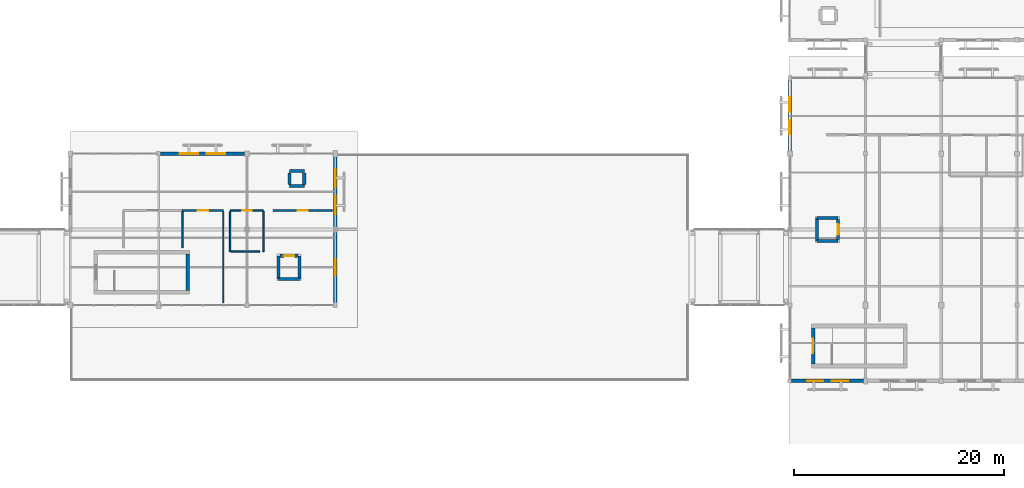
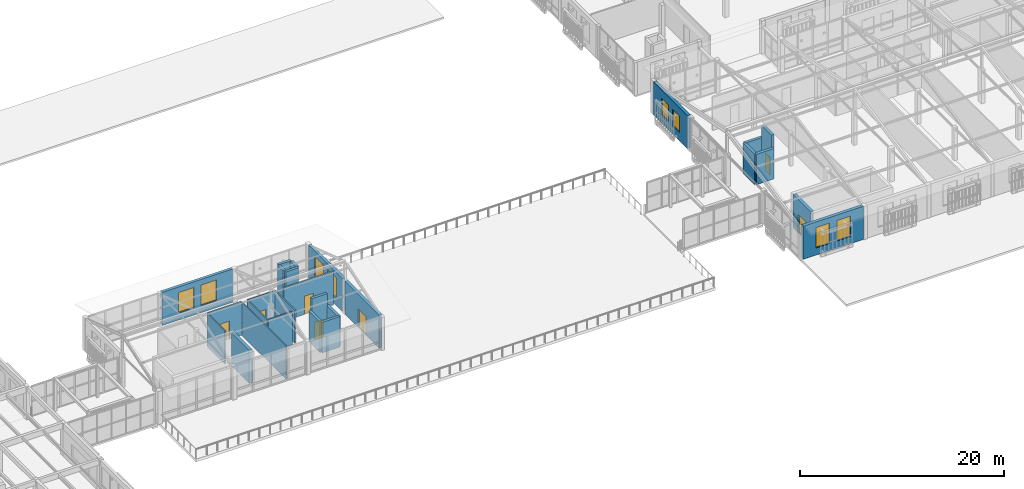
# One storey, part 82 of 112: 27 walls, 8 windows, 7 doors, 15 openings.
"""IFC4 building model written with IfcOpenShell, lengths in metres."""

import ifcopenshell
import ifcopenshell.guid

model = None  # the IFC model being written
_history = None  # IfcOwnerHistory: only IFC2X3 demands one
_inside = {}  # id of a spatial element -> (the spatial element, [elements in it])
_under = {}  # id of a project, library or spatial element -> (it, [spatial elements below it])
_declared = {}  # id of a project -> (the project, [libraries it declares])
_typed = {}  # id of a type object -> (the type object, [elements of that type])
_made_of = {}  # id of a material, layer set ... -> (it, [elements and type objects made of it])


def new_model(schema):
    """Start an empty IFC model of exactly this schema.

    Asked for "IFC4X3", IfcOpenShell would pick the latest addendum, in which some entities
    have other attributes; the version numbers below select the first issue.
    IFC2X3 requires an IfcOwnerHistory on every rooted entity: one is made here for all.
    """
    global model, _history
    if schema == "IFC4X3":
        model = ifcopenshell.file(schema_version=(4, 3, 0, 0))
    else:
        model = ifcopenshell.file(schema=schema)
    _inside.clear()
    _under.clear()
    _declared.clear()
    _typed.clear()
    _made_of.clear()
    _history = None
    if model.schema == "IFC2X3":
        org = make("IfcOrganization", Name="unknown")
        user = make(
            "IfcPersonAndOrganization",
            ThePerson=make("IfcPerson", FamilyName="unknown"),
            TheOrganization=org,
        )
        app = make(
            "IfcApplication",
            ApplicationDeveloper=org,
            Version="unknown",
            ApplicationFullName="unknown",
            ApplicationIdentifier="unknown",
        )
        _history = make(
            "IfcOwnerHistory",
            OwningUser=user,
            OwningApplication=app,
            ChangeAction="ADDED",
            CreationDate=0,
        )
    return model


def make(cls, **values):
    """One entity of the class cls with the attributes given. An attribute that is None is left unset."""
    return model.create_entity(
        cls, **{name: value for name, value in values.items() if value is not None}
    )


def rooted(cls, **values):
    """An entity with a GlobalId (a new one), such as an element, a storey or a relation."""
    return make(cls, GlobalId=ifcopenshell.guid.new(), OwnerHistory=_history, **values)


def si_unit(unit_type, name, prefix=None):
    """IfcSIUnit, for example si_unit("LENGTHUNIT", "METRE", prefix="MILLI")."""
    return make("IfcSIUnit", UnitType=unit_type, Prefix=prefix, Name=name)


def assignment(units):
    """IfcUnitAssignment: the units of a project."""
    return None if units is None else make("IfcUnitAssignment", Units=units)


def point(xyz):
    """IfcCartesianPoint."""
    return None if xyz is None else make("IfcCartesianPoint", Coordinates=xyz)


def direction(xyz):
    """IfcDirection."""
    return None if xyz is None else make("IfcDirection", DirectionRatios=xyz)


def frame(location, z_axis=None, x_axis=None):
    """IfcAxis2Placement3D, a coordinate frame: its origin and axes. An axis left out is left unset."""
    return make(
        "IfcAxis2Placement3D",
        Location=point(location),
        Axis=direction(z_axis),
        RefDirection=direction(x_axis),
    )


def frame_2d(location, x_axis=None):
    """IfcAxis2Placement2D, a coordinate frame in the plane: its origin and x axis."""
    return make(
        "IfcAxis2Placement2D", Location=point(location), RefDirection=direction(x_axis)
    )


def origin():
    """The frame at (0, 0, 0) with its axes left unset."""
    return frame((0.0, 0.0, 0.0))


def place(relative_to, where):
    """IfcLocalPlacement: puts the frame where relative to a parent placement (None: the world)."""
    return make(
        "IfcLocalPlacement", PlacementRelTo=relative_to, RelativePlacement=where
    )


def context(
    kind, dimensions, precision=None, world=None, true_north=None, identifier=None
):
    """IfcGeometricRepresentationContext, for example the 3D "Model" context."""
    return make(
        "IfcGeometricRepresentationContext",
        ContextIdentifier=identifier,
        ContextType=kind,
        CoordinateSpaceDimension=dimensions,
        Precision=precision,
        WorldCoordinateSystem=world,
        TrueNorth=true_north,
    )


def subcontext(parent, identifier, kind, view, scale=None):
    """IfcGeometricRepresentationSubContext, for example "Body" below "Model"."""
    return make(
        "IfcGeometricRepresentationSubContext",
        ContextIdentifier=identifier,
        ContextType=kind,
        ParentContext=parent,
        TargetScale=scale,
        TargetView=view,
    )


def project(units=None, contexts=None):
    """IfcProject with its units and contexts."""
    return rooted(
        "IfcProject",
        Name="project",
        RepresentationContexts=contexts,
        UnitsInContext=assignment(units),
    )


def spatial(cls, under=None, at=None, **own):
    """A site, building, storey or space (cls), placed at a placement, below another one or the project."""
    s = rooted(cls, ObjectPlacement=at, **own)
    if under is not None:
        _under.setdefault(under.id(), (under, []))[1].append(s)
    return s


def profile(cls, at=None, kind="AREA", **sizes):
    """A parametric profile (cls). Its sizes go by their IFC names, for example OverallWidth=200.0."""
    return make(cls, ProfileType=kind, Position=at, **sizes)


def rectangle(**sizes):
    """IfcRectangleProfileDef."""
    return profile("IfcRectangleProfileDef", **sizes)


def extrude(swept, where, along, depth):
    """IfcExtrudedAreaSolid: the profile swept, set in the frame where, extruded along a direction by depth."""
    return make(
        "IfcExtrudedAreaSolid",
        SweptArea=swept,
        Position=where,
        ExtrudedDirection=direction(along),
        Depth=depth,
    )


def shape(context_of_items, identifier, shape_type, items):
    """IfcShapeRepresentation: the items that make up one representation, for example the "Body"."""
    return make(
        "IfcShapeRepresentation",
        ContextOfItems=context_of_items,
        RepresentationIdentifier=identifier,
        RepresentationType=shape_type,
        Items=items,
    )


def material(Name=None, Category=None):
    """IfcMaterial."""
    return make("IfcMaterial", Name=Name, Category=Category)


def layer(
    of_material, thickness, ventilated=None, Name=None, Category=None, Priority=None
):
    """IfcMaterialLayer: one layer of a wall or slab, of a material (None: an air gap)."""
    return make(
        "IfcMaterialLayer",
        Material=of_material,
        LayerThickness=thickness,
        IsVentilated=ventilated,
        Name=Name,
        Category=Category,
        Priority=Priority,
    )


def layer_set(layers, Name=None):
    """IfcMaterialLayerSet."""
    return make("IfcMaterialLayerSet", MaterialLayers=layers, LayerSetName=Name)


def made_of(thing, what):
    """Note that an element or type object is made of a material, layer set ...; save() writes the relation."""
    if what is not None:
        _made_of.setdefault(what.id(), (what, []))[1].append(thing)
    return thing


def type_object(cls, material=None, **own):
    """A type object (cls), such as IfcWallType, which elements share."""
    return made_of(rooted(cls, **own), material)


def element(
    cls,
    number,
    at=None,
    inside=None,
    cuts=None,
    type_object=None,
    material=None,
    context=None,
    identifier="Body",
    shape_type=None,
    held_by="IfcProductDefinitionShape",
    body=None,
    shapes=None,
    **own,
):
    """One element of the class cls, such as IfcWall. Its Tag is "e" and its number.

    at: its placement. inside: the storey or other place that contains it. cuts: it is an
    opening in that element (IfcRelVoidsElement). A single representation is given by context,
    identifier, shape_type and body (its items); several are given by shapes. held_by: the class
    of the entity that holds the representations. save() writes the other relations.
    """
    e = rooted(cls, Tag="e%d" % number, ObjectPlacement=at, **own)
    if body is not None:
        shapes = [shape(context, identifier, shape_type, body)]
    if shapes is not None:
        e.Representation = make(held_by, Representations=shapes)
    if inside is not None:
        _inside.setdefault(inside.id(), (inside, []))[1].append(e)
    if cuts is not None:
        rooted(
            "IfcRelVoidsElement", RelatingBuildingElement=cuts, RelatedOpeningElement=e
        )
    if type_object is not None:
        _typed.setdefault(type_object.id(), (type_object, []))[1].append(e)
    return made_of(e, material)


def fill(opening, filler):
    """IfcRelFillsElement: the door or window that sits in an opening."""
    return rooted(
        "IfcRelFillsElement",
        RelatingOpeningElement=opening,
        RelatedBuildingElement=filler,
    )


def aggregate(whole, parts):
    """IfcRelAggregates: a whole, such as a stair, and the parts it consists of."""
    return rooted("IfcRelAggregates", RelatingObject=whole, RelatedObjects=parts)


def save(model, path):
    """Write the relations noted so far, then the file.

    IfcRelAggregates (storeys below a building ...), IfcRelContainedInSpatialStructure (elements
    in a storey), IfcRelDefinesByType, IfcRelAssociatesMaterial and IfcRelDeclares: one each for
    every whole, place, type object, material and project.
    """
    for whole, parts in _under.values():
        aggregate(whole, parts)
    for where, things in _inside.values():
        rooted(
            "IfcRelContainedInSpatialStructure",
            RelatedElements=things,
            RelatingStructure=where,
        )
    for kind, things in _typed.values():
        rooted("IfcRelDefinesByType", RelatedObjects=things, RelatingType=kind)
    for what, things in _made_of.values():
        rooted("IfcRelAssociatesMaterial", RelatedObjects=things, RelatingMaterial=what)
    for by, libraries in _declared.values():
        rooted("IfcRelDeclares", RelatingContext=by, RelatedDefinitions=libraries)
    model.write(path)


model = new_model("IFC4")

# Units and contexts
model_context = context("Model", 3, precision=1e-05, world=origin(), true_north=direction((0.0, 1.0)))
body_context = subcontext(model_context, "Body", "Model", "MODEL_VIEW")
ifc_project = project(units=[si_unit("LENGTHUNIT", "METRE"), si_unit("AREAUNIT", "SQUARE_METRE"), si_unit("VOLUMEUNIT", "CUBIC_METRE"), si_unit("PLANEANGLEUNIT", "RADIAN"), si_unit("MASSUNIT", "GRAM", prefix="KILO")], contexts=[model_context])

# Site, building, storey
site_placement = place(None, origin())
site = spatial("IfcSite", under=ifc_project, at=site_placement, CompositionType="ELEMENT")
building_placement = place(site_placement, origin())
building = spatial("IfcBuilding", under=site, at=building_placement, Name="Mazaris Harbour Polytechnic", CompositionType="ELEMENT")
storey_placement = place(building_placement, frame((0.0, 0.0, 13.800048828125)))
storey = spatial("IfcBuildingStorey", under=building, at=storey_placement, Name="L03", CompositionType="ELEMENT", Elevation=13.800048828125)

# Walls
ifc_material_1 = material(Name="Gypsum Board and Mineral Wool")
ifc_layer_1 = layer(ifc_material_1, 0.1201171875, Name="Gypsum Board and Mineral Wool")
ifc_layer_set_1 = layer_set([ifc_layer_1], Name="Gypsum Board and Mineral Wool")
wall_type_1 = type_object("IfcWallType", Name="Acoustic Stud Partition 120", PredefinedType="PARTITIONING", material=ifc_layer_set_1)
wall_1_placement = place(storey_placement, frame((68.5458984375, 21.85009765625, 0.0), z_axis=(0.0, 0.0, 1.0), x_axis=(0.0, 1.0, 0.0)))
element("IfcWall", 1, at=wall_1_placement, inside=storey, type_object=wall_type_1, Name="V3 L03 Partition 241", PredefinedType="PARTITIONING", context=body_context, shape_type="SweptSolid", body=[
    extrude(rectangle(XDim=8.6298828125, YDim=0.1201171875, at=frame_2d((4.31494140625, 0.0))), origin(), (0.0, 0.0, 1.0), 3.9599609375),
])
ifc_material_2 = material(Name="Double Gypsum and Mineral Wool")
ifc_layer_2 = layer(ifc_material_2, 0.14990234375, Name="Double Gypsum and Mineral Wool")
ifc_layer_set_2 = layer_set([ifc_layer_2], Name="Double Gypsum and Mineral Wool")
wall_type_2 = type_object("IfcWallType", Name="Classroom Acoustic Partition 150", PredefinedType="PARTITIONING", material=ifc_layer_set_2)
wall_2_placement = place(storey_placement, frame((64.654052734375, 27.054931640625, 0.0), z_axis=(0.0, 0.0, 1.0), x_axis=(0.0, 1.0, 0.0)))
element("IfcWall", 2, at=wall_2_placement, inside=storey, type_object=wall_type_2, Name="V3 L03 Partition 239", PredefinedType="PARTITIONING", context=body_context, shape_type="SweptSolid", body=[
    extrude(rectangle(XDim=3.425048828125, YDim=0.14990234375, at=frame_2d((1.71240234375, 0.0))), origin(), (0.0, 0.0, 1.0), 3.9599609375),
])

# Wall, opening, door
ifc_material_3 = material(Name="Terracotta Block and Plaster", Category="masonry")
ifc_layer_3 = layer(ifc_material_3, 0.179931640625, Name="Terracotta Block and Plaster")
ifc_layer_set_3 = layer_set([ifc_layer_3], Name="Terracotta Block and Plaster")
wall_type_3 = type_object("IfcWallType", Name="Corridor Fire Partition 180", PredefinedType="PARTITIONING", material=ifc_layer_set_3)
wall_3_placement = place(storey_placement, frame((64.658935546875, 30.60009765625, 0.0), z_axis=(0.0, 0.0, 1.0), x_axis=(1.0, 0.0, 0.0)))
wall_3 = element("IfcWall", 3, at=wall_3_placement, inside=storey, type_object=wall_type_3, Name="V3 L03 Partition 240", PredefinedType="PARTITIONING", context=body_context, shape_type="SweptSolid", body=[
    extrude(rectangle(XDim=3.886962890625, YDim=0.179931640625, at=frame_2d((1.943359375, 0.0))), origin(), (0.0, 0.0, 1.0), 3.9599609375),
])
opening_1_placement = place(wall_3_placement, frame((1.448486328125, 0.0, 0.0)))
opening_1 = element("IfcOpeningElement", 4, at=opening_1_placement, cuts=wall_3, Name="Opening ID-08R", PredefinedType="OPENING", context=body_context, shape_type="SweptSolid", body=[
    extrude(rectangle(XDim=0.989990234375, YDim=2.179931640625, at=frame_2d((0.4951171875, 1.08984375))), frame((0.0, 0.099853515625, 0.0), z_axis=(0.0, -1.0, 0.0), x_axis=(1.0, 0.0, 0.0)), (0.0, 0.0, 1.0), 0.199951171875),
])
ifc_material_4 = material(Name="Solid Oak Timber", Category="wood")
door_type_1 = type_object("IfcDoorType", Name="Seminar Room Door RH 990x2180", OperationType="SINGLE_SWING_RIGHT", PredefinedType="DOOR", material=ifc_material_4)
door_1_placement = place(opening_1_placement, origin())
door_1 = element("IfcDoor", 5, at=door_1_placement, inside=storey, type_object=door_type_1, Name="ID-0109", OperationType="SINGLE_SWING_RIGHT", OverallHeight=2.179931640625, OverallWidth=0.989990234375, PredefinedType="DOOR", context=body_context, shape_type="SweptSolid", body=[
    extrude(rectangle(XDim=0.989990234375, YDim=2.179931640625, at=frame_2d((0.4951171875, 1.08984375))), frame((0.0, 0.02490234375, 0.0), z_axis=(0.0, -1.0, 0.0), x_axis=(1.0, 0.0, 0.0)), (0.0, 0.0, 1.0), 0.050048828125),
])
fill(opening_1, door_1)

wall_4_placement = place(storey_placement, frame((73.294921875, 30.60009765625, 0.0), z_axis=(0.0, 0.0, 1.0), x_axis=(1.0, 0.0, 0.0)))
wall_4 = element("IfcWall", 6, at=wall_4_placement, inside=storey, type_object=wall_type_3, Name="V3 L03 Partition 242", PredefinedType="PARTITIONING", context=body_context, shape_type="SweptSolid", body=[
    extrude(rectangle(XDim=5.60498046875, YDim=0.179931640625, at=frame_2d((2.802490234375, 0.0))), origin(), (0.0, 0.0, 1.0), 3.9599609375),
])
opening_2_placement = place(wall_4_placement, frame((2.3076171875, 0.0, 0.0)))
opening_2 = element("IfcOpeningElement", 7, at=opening_2_placement, cuts=wall_4, Name="Opening ID-08R", PredefinedType="OPENING", context=body_context, shape_type="SweptSolid", body=[
    extrude(rectangle(XDim=0.989990234375, YDim=2.179931640625, at=frame_2d((0.4951171875, 1.08984375))), frame((0.0, 0.099853515625, 0.0), z_axis=(0.0, -1.0, 0.0), x_axis=(1.0, 0.0, 0.0)), (0.0, 0.0, 1.0), 0.199951171875),
])
door_2_placement = place(opening_2_placement, origin())
door_2 = element("IfcDoor", 8, at=door_2_placement, inside=storey, type_object=door_type_1, Name="ID-0110", OperationType="SINGLE_SWING_RIGHT", OverallHeight=2.179931640625, OverallWidth=0.989990234375, PredefinedType="DOOR", context=body_context, shape_type="SweptSolid", body=[
    extrude(rectangle(XDim=0.989990234375, YDim=2.179931640625, at=frame_2d((0.4951171875, 1.08984375))), frame((0.0, 0.02490234375, 0.0), z_axis=(0.0, -1.0, 0.0), x_axis=(1.0, 0.0, 0.0)), (0.0, 0.0, 1.0), 0.050048828125),
])
fill(opening_2, door_2)

# Wall, openings, windows
ifc_material_5 = material(Name="Algerian Buff Limestone and Mineral Wool", Category="masonry")
ifc_layer_4 = layer(ifc_material_5, 0.330078125, Name="Algerian Buff Limestone and Mineral Wool")
ifc_layer_set_4 = layer_set([ifc_layer_4], Name="Algerian Buff Limestone and Mineral Wool")
wall_type_4 = type_object("IfcWallType", Name="Limestone Cavity Wall 330", PredefinedType="STANDARD", material=ifc_layer_set_4)
wall_5_placement = place(storey_placement, frame((62.58203125, 36.0, 0.0), z_axis=(0.0, 0.0, 1.0), x_axis=(1.0, 0.0, 0.0)))
wall_5 = element("IfcWall", 9, at=wall_5_placement, inside=storey, type_object=wall_type_4, Name="V3 L03 Exterior Wall 124", PredefinedType="STANDARD", context=body_context, shape_type="SweptSolid", body=[
    extrude(rectangle(XDim=7.97607421875, YDim=0.330078125, at=frame_2d((3.988037109375, 0.0))), origin(), (0.0, 0.0, 1.0), 3.9599609375),
])
opening_3_placement = place(wall_5_placement, frame((1.837890625, 0.0, 0.85009765625)))
opening_3 = element("IfcOpeningElement", 10, at=opening_3_placement, cuts=wall_5, Name="Opening WN-27", PredefinedType="OPENING", context=body_context, shape_type="SweptSolid", body=[
    extrude(rectangle(XDim=1.75, YDim=2.449951171875, at=frame_2d((0.875, 1.22509765625))), frame((0.0, 0.175048828125, 0.0), z_axis=(0.0, -1.0, 0.0), x_axis=(1.0, 0.0, 0.0)), (0.0, 0.0, 1.0), 0.35009765625),
])
opening_4_placement = place(wall_5_placement, frame((4.387939453125, 0.0, 0.85009765625)))
opening_4 = element("IfcOpeningElement", 11, at=opening_4_placement, cuts=wall_5, Name="Opening WN-27", PredefinedType="OPENING", context=body_context, shape_type="SweptSolid", body=[
    extrude(rectangle(XDim=1.75, YDim=2.449951171875, at=frame_2d((0.875, 1.22509765625))), frame((0.0, 0.175048828125, 0.0), z_axis=(0.0, -1.0, 0.0), x_axis=(1.0, 0.0, 0.0)), (0.0, 0.0, 1.0), 0.35009765625),
])
ifc_material_6 = material(Name="Thermally Broken Bronze Aluminium and Low-E Glass", Category="aluminium")
window_type_1 = type_object("IfcWindowType", Name="Studio Tall Casement 1750x2450", PartitioningType="DOUBLE_PANEL_VERTICAL", PredefinedType="WINDOW", material=ifc_material_6)
window_1_placement = place(opening_3_placement, origin())
window_1 = element("IfcWindow", 12, at=window_1_placement, inside=storey, type_object=window_type_1, Name="WN-0132", OverallHeight=2.449951171875, OverallWidth=1.75, PartitioningType="DOUBLE_PANEL_VERTICAL", PredefinedType="WINDOW", context=body_context, shape_type="SweptSolid", body=[
    extrude(rectangle(XDim=1.75, YDim=2.449951171875, at=frame_2d((0.875, 1.22509765625))), frame((0.0, 0.030029296875, 0.0), z_axis=(0.0, -1.0, 0.0), x_axis=(1.0, 0.0, 0.0)), (0.0, 0.0, 1.0), 0.06005859375),
])
fill(opening_3, window_1)
window_2_placement = place(opening_4_placement, origin())
window_2 = element("IfcWindow", 13, at=window_2_placement, inside=storey, type_object=window_type_1, Name="WN-0133", OverallHeight=2.449951171875, OverallWidth=1.75, PartitioningType="DOUBLE_PANEL_VERTICAL", PredefinedType="WINDOW", context=body_context, shape_type="SweptSolid", body=[
    extrude(rectangle(XDim=1.75, YDim=2.449951171875, at=frame_2d((0.875, 1.22509765625))), frame((0.0, 0.030029296875, 0.0), z_axis=(0.0, -1.0, 0.0), x_axis=(1.0, 0.0, 0.0)), (0.0, 0.0, 1.0), 0.06005859375),
])
fill(opening_4, window_2)

# Wall, opening, door
wall_6_placement = place(storey_placement, frame((79.199951171875, 28.5380859375, 0.0), z_axis=(0.0, 0.0, 1.0), x_axis=(0.0, -1.0, 0.0)))
wall_6 = element("IfcWall", 14, at=wall_6_placement, inside=storey, type_object=wall_type_4, Name="V3 L03 Exterior Wall 126", PredefinedType="STANDARD", context=body_context, shape_type="SweptSolid", body=[
    extrude(rectangle(XDim=6.7060546875, YDim=0.330078125, at=frame_2d((3.35302734375, 0.0))), origin(), (0.0, 0.0, 1.0), 3.9599609375),
])
opening_5_placement = place(wall_6_placement, frame((2.552978515625, 0.0, 0.0)))
opening_5 = element("IfcOpeningElement", 15, at=opening_5_placement, cuts=wall_6, Name="Opening ED-04", PredefinedType="OPENING", context=body_context, shape_type="SweptSolid", body=[
    extrude(rectangle(XDim=1.60009765625, YDim=2.199951171875, at=frame_2d((0.800048828125, 1.10009765625))), frame((0.0, 0.175048828125, 0.0), z_axis=(0.0, -1.0, 0.0), x_axis=(1.0, 0.0, 0.0)), (0.0, 0.0, 1.0), 0.35009765625),
])
ifc_material_7 = material(Name="Anodised Bronze Steel and Laminated Safety Glass", Category="steel")
door_type_2 = type_object("IfcDoorType", Name="Roof Garden Glazed Terrace Door 1600x2200", OperationType="DOUBLE_DOOR_SINGLE_SWING", PredefinedType="DOOR", material=ifc_material_7)
door_3_placement = place(opening_5_placement, origin())
door_3 = element("IfcDoor", 16, at=door_3_placement, inside=storey, type_object=door_type_2, Name="TRD-20", OperationType="DOUBLE_DOOR_SINGLE_SWING", OverallHeight=2.199951171875, OverallWidth=1.60009765625, PredefinedType="DOOR", context=body_context, shape_type="SweptSolid", body=[
    extrude(rectangle(XDim=1.60009765625, YDim=2.199951171875, at=frame_2d((0.800048828125, 1.10009765625))), frame((0.0, 0.02490234375, 0.0), z_axis=(0.0, -1.0, 0.0), x_axis=(1.0, 0.0, 0.0)), (0.0, 0.0, 1.0), 0.050048828125),
])
fill(opening_5, door_3)

# Wall, openings, windows
wall_7_placement = place(storey_placement, frame((79.199951171875, 35.7080078125, 0.0), z_axis=(0.0, 0.0, 1.0), x_axis=(0.0, -1.0, 0.0)))
wall_7 = element("IfcWall", 17, at=wall_7_placement, inside=storey, type_object=wall_type_4, Name="V3 L03 Exterior Wall 127", PredefinedType="STANDARD", context=body_context, shape_type="SweptSolid", body=[
    extrude(rectangle(XDim=6.64599609375, YDim=0.330078125, at=frame_2d((3.322998046875, 0.0))), origin(), (0.0, 0.0, 1.0), 3.9599609375),
])
opening_6_placement = place(wall_7_placement, frame((1.173095703125, 0.0, 0.85009765625)))
opening_6 = element("IfcOpeningElement", 18, at=opening_6_placement, cuts=wall_7, Name="Opening WN-27", PredefinedType="OPENING", context=body_context, shape_type="SweptSolid", body=[
    extrude(rectangle(XDim=1.75, YDim=2.449951171875, at=frame_2d((0.875, 1.22509765625))), frame((0.0, 0.175048828125, 0.0), z_axis=(0.0, -1.0, 0.0), x_axis=(1.0, 0.0, 0.0)), (0.0, 0.0, 1.0), 0.35009765625),
])
opening_7_placement = place(wall_7_placement, frame((3.722900390625, 0.0, 0.85009765625)))
opening_7 = element("IfcOpeningElement", 19, at=opening_7_placement, cuts=wall_7, Name="Opening WN-27", PredefinedType="OPENING", context=body_context, shape_type="SweptSolid", body=[
    extrude(rectangle(XDim=1.75, YDim=2.449951171875, at=frame_2d((0.875, 1.22509765625))), frame((0.0, 0.175048828125, 0.0), z_axis=(0.0, -1.0, 0.0), x_axis=(1.0, 0.0, 0.0)), (0.0, 0.0, 1.0), 0.35009765625),
])
window_3_placement = place(opening_6_placement, origin())
window_3 = element("IfcWindow", 20, at=window_3_placement, inside=storey, type_object=window_type_1, Name="WN-0136", OverallHeight=2.449951171875, OverallWidth=1.75, PartitioningType="DOUBLE_PANEL_VERTICAL", PredefinedType="WINDOW", context=body_context, shape_type="SweptSolid", body=[
    extrude(rectangle(XDim=1.75, YDim=2.449951171875, at=frame_2d((0.875, 1.22509765625))), frame((0.0, 0.030029296875, 0.0), z_axis=(0.0, -1.0, 0.0), x_axis=(1.0, 0.0, 0.0)), (0.0, 0.0, 1.0), 0.06005859375),
])
fill(opening_6, window_3)
window_4_placement = place(opening_7_placement, origin())
window_4 = element("IfcWindow", 21, at=window_4_placement, inside=storey, type_object=window_type_1, Name="WN-0137", OverallHeight=2.449951171875, OverallWidth=1.75, PartitioningType="DOUBLE_PANEL_VERTICAL", PredefinedType="WINDOW", context=body_context, shape_type="SweptSolid", body=[
    extrude(rectangle(XDim=1.75, YDim=2.449951171875, at=frame_2d((0.875, 1.22509765625))), frame((0.0, 0.030029296875, 0.0), z_axis=(0.0, -1.0, 0.0), x_axis=(1.0, 0.0, 0.0)), (0.0, 0.0, 1.0), 0.06005859375),
])
fill(opening_7, window_4)

ifc_material_8 = material(Name="Algerian Buff Limestone and Concrete C30/37", Category="masonry")
ifc_layer_5 = layer(ifc_material_8, 0.344970703125, Name="Algerian Buff Limestone and Concrete C30/37")
ifc_layer_set_5 = layer_set([ifc_layer_5], Name="Algerian Buff Limestone and Concrete C30/37")
wall_type_5 = type_object("IfcWallType", Name="Pavilion Gable Wall 345", PredefinedType="STANDARD", material=ifc_layer_set_5)
wall_8_placement = place(storey_placement, frame((129.407958984375, 14.39990234375, 0.0), z_axis=(0.0, 0.0, 1.0), x_axis=(-1.0, 0.0, 0.0)))
wall_8 = element("IfcWall", 22, at=wall_8_placement, inside=storey, type_object=wall_type_5, Name="V2 L03 Exterior Wall 83", PredefinedType="STANDARD", context=body_context, shape_type="SweptSolid", body=[
    extrude(rectangle(XDim=6.825927734375, YDim=0.344970703125, at=frame_2d((3.4130859375, 0.0))), origin(), (0.0, 0.0, 1.0), 3.9599609375),
])
opening_8_placement = place(wall_8_placement, frame((1.462890625, 0.0, 0.85009765625)))
opening_8 = element("IfcOpeningElement", 23, at=opening_8_placement, cuts=wall_8, Name="Opening WN-26", PredefinedType="OPENING", context=body_context, shape_type="SweptSolid", body=[
    extrude(rectangle(XDim=1.550048828125, YDim=2.449951171875, at=frame_2d((0.77490234375, 1.22509765625))), frame((0.0, 0.182373046875, 0.0), z_axis=(0.0, -1.0, 0.0), x_axis=(1.0, 0.0, 0.0)), (0.0, 0.0, 1.0), 0.364990234375),
])
opening_9_placement = place(wall_8_placement, frame((3.81298828125, 0.0, 0.85009765625)))
opening_9 = element("IfcOpeningElement", 24, at=opening_9_placement, cuts=wall_8, Name="Opening WN-26", PredefinedType="OPENING", context=body_context, shape_type="SweptSolid", body=[
    extrude(rectangle(XDim=1.550048828125, YDim=2.449951171875, at=frame_2d((0.77490234375, 1.22509765625))), frame((0.0, 0.182373046875, 0.0), z_axis=(0.0, -1.0, 0.0), x_axis=(1.0, 0.0, 0.0)), (0.0, 0.0, 1.0), 0.364990234375),
])
ifc_material_9 = material(Name="Thermally Broken Bronze Aluminium and Low-E Glass", Category="aluminium")
window_type_2 = type_object("IfcWindowType", Name="Studio Tall Casement 1550x2450", PartitioningType="DOUBLE_PANEL_VERTICAL", PredefinedType="WINDOW", material=ifc_material_9)
window_5_placement = place(opening_8_placement, origin())
window_5 = element("IfcWindow", 25, at=window_5_placement, inside=storey, type_object=window_type_2, Name="WN-0083", OverallHeight=2.449951171875, OverallWidth=1.550048828125, PartitioningType="DOUBLE_PANEL_VERTICAL", PredefinedType="WINDOW", context=body_context, shape_type="SweptSolid", body=[
    extrude(rectangle(XDim=1.550048828125, YDim=2.449951171875, at=frame_2d((0.77490234375, 1.22509765625))), frame((0.0, 0.030029296875, 0.0), z_axis=(0.0, -1.0, 0.0), x_axis=(1.0, 0.0, 0.0)), (0.0, 0.0, 1.0), 0.06005859375),
])
fill(opening_8, window_5)
window_6_placement = place(opening_9_placement, origin())
window_6 = element("IfcWindow", 26, at=window_6_placement, inside=storey, type_object=window_type_2, Name="WN-0084", OverallHeight=2.449951171875, OverallWidth=1.550048828125, PartitioningType="DOUBLE_PANEL_VERTICAL", PredefinedType="WINDOW", context=body_context, shape_type="SweptSolid", body=[
    extrude(rectangle(XDim=1.550048828125, YDim=2.449951171875, at=frame_2d((0.77490234375, 1.22509765625))), frame((0.0, 0.030029296875, 0.0), z_axis=(0.0, -1.0, 0.0), x_axis=(1.0, 0.0, 0.0)), (0.0, 0.0, 1.0), 0.06005859375),
])
fill(opening_9, window_6)

wall_9_placement = place(storey_placement, frame((122.39990234375, 36.241943359375, 0.0), z_axis=(0.0, 0.0, 1.0), x_axis=(0.0, 1.0, 0.0)))
wall_9 = element("IfcWall", 27, at=wall_9_placement, inside=storey, type_object=wall_type_5, Name="V2 L03 Exterior Wall 91", PredefinedType="STANDARD", context=body_context, shape_type="SweptSolid", body=[
    extrude(rectangle(XDim=6.72607421875, YDim=0.344970703125, at=frame_2d((3.363037109375, 0.0))), origin(), (0.0, 0.0, 1.0), 3.9599609375),
])
opening_10_placement = place(wall_9_placement, frame((1.613037109375, 0.0, 0.949951171875)))
opening_10 = element("IfcOpeningElement", 28, at=opening_10_placement, cuts=wall_9, Name="Opening WN-30", PredefinedType="OPENING", context=body_context, shape_type="SweptSolid", body=[
    extrude(rectangle(XDim=1.35009765625, YDim=2.0, at=frame_2d((0.675048828125, 1.0))), frame((0.0, 0.182373046875, 0.0), z_axis=(0.0, -1.0, 0.0), x_axis=(1.0, 0.0, 0.0)), (0.0, 0.0, 1.0), 0.364990234375),
])
opening_11_placement = place(wall_9_placement, frame((3.762939453125, 0.0, 0.949951171875)))
opening_11 = element("IfcOpeningElement", 29, at=opening_11_placement, cuts=wall_9, Name="Opening WN-30", PredefinedType="OPENING", context=body_context, shape_type="SweptSolid", body=[
    extrude(rectangle(XDim=1.35009765625, YDim=2.0, at=frame_2d((0.675048828125, 1.0))), frame((0.0, 0.182373046875, 0.0), z_axis=(0.0, -1.0, 0.0), x_axis=(1.0, 0.0, 0.0)), (0.0, 0.0, 1.0), 0.364990234375),
])
ifc_material_10 = material(Name="Thermally Broken Bronze Aluminium and Low-E Glass", Category="aluminium")
window_type_3 = type_object("IfcWindowType", Name="Pavilion Side Window 1350x2000", PartitioningType="DOUBLE_PANEL_VERTICAL", PredefinedType="WINDOW", material=ifc_material_10)
window_7_placement = place(opening_10_placement, origin())
window_7 = element("IfcWindow", 30, at=window_7_placement, inside=storey, type_object=window_type_3, Name="WN-0099", OverallHeight=2.0, OverallWidth=1.35009765625, PartitioningType="DOUBLE_PANEL_VERTICAL", PredefinedType="WINDOW", context=body_context, shape_type="SweptSolid", body=[
    extrude(rectangle(XDim=1.35009765625, YDim=2.0, at=frame_2d((0.675048828125, 1.0))), frame((0.0, 0.030029296875, 0.0), z_axis=(0.0, -1.0, 0.0), x_axis=(1.0, 0.0, 0.0)), (0.0, 0.0, 1.0), 0.06005859375),
])
fill(opening_10, window_7)
window_8_placement = place(opening_11_placement, origin())
window_8 = element("IfcWindow", 31, at=window_8_placement, inside=storey, type_object=window_type_3, Name="WN-0100", OverallHeight=2.0, OverallWidth=1.35009765625, PartitioningType="DOUBLE_PANEL_VERTICAL", PredefinedType="WINDOW", context=body_context, shape_type="SweptSolid", body=[
    extrude(rectangle(XDim=1.35009765625, YDim=2.0, at=frame_2d((0.675048828125, 1.0))), frame((0.0, 0.030029296875, 0.0), z_axis=(0.0, -1.0, 0.0), x_axis=(1.0, 0.0, 0.0)), (0.0, 0.0, 1.0), 0.06005859375),
])
fill(opening_11, window_8)

# Wall
ifc_material_11 = material(Name="Concrete C40/50", Category="concrete")
ifc_layer_6 = layer(ifc_material_11, 0.35009765625, Name="Concrete C40/50")
ifc_layer_set_6 = layer_set([ifc_layer_6], Name="Concrete C40/50")
wall_type_6 = type_object("IfcWallType", Name="RC Core Shear Wall 350", PredefinedType="SHEAR", material=ifc_layer_set_6)
wall_10_placement = place(storey_placement, frame((65.175048828125, 23.0, 0.0), z_axis=(0.0, 0.0, 1.0), x_axis=(0.0, 1.0, 0.0)))
element("IfcWall", 32, at=wall_10_placement, inside=storey, type_object=wall_type_6, Name="Core ST05 L03 Shear Wall E", PredefinedType="SHEAR", context=body_context, shape_type="SweptSolid", body=[
    extrude(rectangle(XDim=3.449951171875, YDim=0.35009765625, at=frame_2d((1.72509765625, 0.0))), origin(), (0.0, 0.0, 1.0), 3.9599609375),
])

# Wall, opening, door
wall_11_placement = place(storey_placement, frame((124.625, 19.449951171875, 0.0), z_axis=(0.0, 0.0, 1.0), x_axis=(0.0, -1.0, 0.0)))
wall_11 = element("IfcWall", 33, at=wall_11_placement, inside=storey, type_object=wall_type_6, Name="Core ST03 L03 Entrance Shear Wall", PredefinedType="SHEAR", context=body_context, shape_type="SweptSolid", body=[
    extrude(rectangle(XDim=3.449951171875, YDim=0.35009765625, at=frame_2d((1.72509765625, 0.0))), origin(), (0.0, 0.0, 1.0), 3.9599609375),
])
opening_12_placement = place(wall_11_placement, frame((1.034912109375, 0.0, 0.0)))
opening_12 = element("IfcOpeningElement", 34, at=opening_12_placement, cuts=wall_11, Name="Opening SD-01", PredefinedType="OPENING", context=body_context, shape_type="SweptSolid", body=[
    extrude(rectangle(XDim=1.3798828125, YDim=2.199951171875, at=frame_2d((0.68994140625, 1.10009765625))), frame((0.0, 0.18505859375, 0.0), z_axis=(0.0, -1.0, 0.0), x_axis=(1.0, 0.0, 0.0)), (0.0, 0.0, 1.0), 0.3701171875),
])
ifc_material_12 = material(Name="Glulam Timber and Fire Glass", Category="wood")
door_type_3 = type_object("IfcDoorType", Name="Protected Stair Lobby Fire Door 1380x2200", OperationType="DOUBLE_DOOR_SINGLE_SWING", PredefinedType="DOOR", material=ifc_material_12)
door_4_placement = place(opening_12_placement, origin())
door_4 = element("IfcDoor", 35, at=door_4_placement, inside=storey, type_object=door_type_3, Name="SD-013", OperationType="DOUBLE_DOOR_SINGLE_SWING", OverallHeight=2.199951171875, OverallWidth=1.3798828125, PredefinedType="DOOR", context=body_context, shape_type="SweptSolid", body=[
    extrude(rectangle(XDim=1.3798828125, YDim=2.199951171875, at=frame_2d((0.68994140625, 1.10009765625))), frame((0.0, 0.02490234375, 0.0), z_axis=(0.0, -1.0, 0.0), x_axis=(1.0, 0.0, 0.0)), (0.0, 0.0, 1.0), 0.050048828125),
])
fill(opening_12, door_4)

# Walls
ifc_material_13 = material(Name="Concrete C40/50", Category="concrete")
ifc_layer_7 = layer(ifc_material_13, 0.300048828125, Name="Concrete C40/50")
ifc_layer_set_7 = layer_set([ifc_layer_7], Name="Concrete C40/50")
wall_type_7 = type_object("IfcWallType", Name="RC Lift Shaft Wall 300", PredefinedType="SHEAR", material=ifc_layer_set_7)
wall_12_placement = place(storey_placement, frame((74.830078125, 32.929931640625, 0.0), z_axis=(0.0, 0.0, 1.0), x_axis=(1.0, 0.0, 0.0)))
element("IfcWall", 36, at=wall_12_placement, inside=storey, type_object=wall_type_7, Name="V3 L03 Riser Enclosure Wall 1-1", PredefinedType="SHEAR", context=body_context, shape_type="SweptSolid", body=[
    extrude(rectangle(XDim=1.419921875, YDim=0.300048828125, at=frame_2d((0.7099609375, 0.0))), origin(), (0.0, 0.0, 1.0), 3.9599609375),
])
wall_13_placement = place(storey_placement, frame((76.25, 33.090087890625, 0.0), z_axis=(0.0, 0.0, 1.0), x_axis=(0.0, 1.0, 0.0)))
element("IfcWall", 37, at=wall_13_placement, inside=storey, type_object=wall_type_7, Name="V3 L03 Riser Enclosure Wall 1-2", PredefinedType="SHEAR", context=body_context, shape_type="SweptSolid", body=[
    extrude(rectangle(XDim=1.099853515625, YDim=0.300048828125, at=frame_2d((0.5498046875, 0.0))), origin(), (0.0, 0.0, 1.0), 3.9599609375),
])
wall_14_placement = place(storey_placement, frame((76.25, 34.35009765625, 0.0), z_axis=(0.0, 0.0, 1.0), x_axis=(-1.0, 0.0, 0.0)))
element("IfcWall", 38, at=wall_14_placement, inside=storey, type_object=wall_type_7, Name="V3 L03 Riser Enclosure Wall 1-3", PredefinedType="SHEAR", context=body_context, shape_type="SweptSolid", body=[
    extrude(rectangle(XDim=1.419921875, YDim=0.300048828125, at=frame_2d((0.7099609375, 0.0))), origin(), (0.0, 0.0, 1.0), 3.9599609375),
])
wall_15_placement = place(storey_placement, frame((74.830078125, 34.18994140625, 0.0), z_axis=(0.0, 0.0, 1.0), x_axis=(0.0, -1.0, 0.0)))
element("IfcWall", 39, at=wall_15_placement, inside=storey, type_object=wall_type_7, Name="V3 L03 Riser Enclosure Wall 1-4", PredefinedType="SHEAR", context=body_context, shape_type="SweptSolid", body=[
    extrude(rectangle(XDim=1.099853515625, YDim=0.300048828125, at=frame_2d((0.5498046875, 0.0))), origin(), (0.0, 0.0, 1.0), 3.9599609375),
])
for number, where, z_axis, x_axis, name in (
    (40, (125.0, 27.699951171875, 0.0), (0.0, 0.0, 1.0), (1.0, 0.0, 0.0), "Lift LP-02 L03 South Shaft Wall"),
    (41, (127.0, 29.89990234375, 0.0), (0.0, 0.0, 1.0), (-1.0, 0.0, 0.0), "Lift LP-02 L03 North Shaft Wall"),
):
    element("IfcWall", number, at=place(storey_placement, frame(where, z_axis=z_axis, x_axis=x_axis)), inside=storey, type_object=wall_type_7, Name=name, PredefinedType="SHEAR", context=body_context, shape_type="SweptSolid", body=[
        extrude(rectangle(XDim=2.0, YDim=0.300048828125, at=frame_2d((1.0, 0.0))), origin(), (0.0, 0.0, 1.0), 3.639892578125),
    ])
wall_16_placement = place(storey_placement, frame((125.0, 29.89990234375, 0.0), z_axis=(0.0, 0.0, 1.0), x_axis=(0.0, -1.0, 0.0)))
element("IfcWall", 42, at=wall_16_placement, inside=storey, type_object=wall_type_7, Name="Lift LP-02 L03 West Shaft Wall", PredefinedType="SHEAR", context=body_context, shape_type="SweptSolid", body=[
    extrude(rectangle(XDim=2.199951171875, YDim=0.300048828125, at=frame_2d((1.10009765625, 0.0))), origin(), (0.0, 0.0, 1.0), 3.639892578125),
])
wall_17_placement = place(storey_placement, frame((73.800048828125, 24.10009765625, 0.0), z_axis=(0.0, 0.0, 1.0), x_axis=(1.0, 0.0, 0.0)))
element("IfcWall", 43, at=wall_17_placement, inside=storey, type_object=wall_type_7, Name="Lift LP-03 L03 South Shaft Wall", PredefinedType="SHEAR", context=body_context, shape_type="SweptSolid", body=[
    extrude(rectangle(XDim=2.0, YDim=0.300048828125, at=frame_2d((1.0, 0.0))), origin(), (0.0, 0.0, 1.0), 3.639892578125),
])
for number, where, z_axis, x_axis, name in (
    (44, (73.800048828125, 26.300048828125, 0.0), (0.0, 0.0, 1.0), (0.0, -1.0, 0.0), "Lift LP-03 L03 West Shaft Wall"),
    (45, (75.800048828125, 24.10009765625, 0.0), (0.0, 0.0, 1.0), (0.0, 1.0, 0.0), "Lift LP-03 L03 East Shaft Wall"),
):
    element("IfcWall", number, at=place(storey_placement, frame(where, z_axis=z_axis, x_axis=x_axis)), inside=storey, type_object=wall_type_7, Name=name, PredefinedType="SHEAR", context=body_context, shape_type="SweptSolid", body=[
        extrude(rectangle(XDim=2.199951171875, YDim=0.300048828125, at=frame_2d((1.10009765625, 0.0))), origin(), (0.0, 0.0, 1.0), 3.639892578125),
    ])

# Wall, opening, door
wall_18_placement = place(storey_placement, frame((127.0, 29.760009765625, 0.0), z_axis=(0.0, 0.0, 1.0), x_axis=(0.0, -1.0, 0.0)))
wall_18 = element("IfcWall", 46, at=wall_18_placement, inside=storey, type_object=wall_type_7, Name="Lift LP-02 L03 Front Shaft Wall", PredefinedType="SHEAR", context=body_context, shape_type="SweptSolid", body=[
    extrude(rectangle(XDim=1.919921875, YDim=0.300048828125, at=frame_2d((0.9599609375, 0.0))), origin(), (0.0, 0.0, 1.0), 5.099853515625),
])
opening_13_placement = place(wall_18_placement, frame((0.4599609375, 0.0, 0.0)))
opening_13 = element("IfcOpeningElement", 47, at=opening_13_placement, cuts=wall_18, Name="Opening LD-01", PredefinedType="OPENING", context=body_context, shape_type="SweptSolid", body=[
    extrude(rectangle(XDim=1.0, YDim=2.10009765625, at=frame_2d((0.5, 1.050048828125))), frame((0.0, 0.159912109375, 0.0), z_axis=(0.0, -1.0, 0.0), x_axis=(1.0, 0.0, 0.0)), (0.0, 0.0, 1.0), 0.320068359375),
])
ifc_material_14 = material(Name="Stainless Steel S355", Category="steel")
door_type_4 = type_object("IfcDoorType", Name="Sliding Passenger Lift Landing Door 1000x2100", OperationType="SLIDING_TO_LEFT", PredefinedType="DOOR", material=ifc_material_14)
door_5_placement = place(opening_13_placement, origin())
door_5 = element("IfcDoor", 48, at=door_5_placement, inside=storey, type_object=door_type_4, Name="LD-024", OperationType="SLIDING_TO_LEFT", OverallHeight=2.10009765625, OverallWidth=1.0, PredefinedType="DOOR", context=body_context, shape_type="SweptSolid", body=[
    extrude(rectangle(XDim=1.0, YDim=2.10009765625, at=frame_2d((0.5, 1.050048828125))), frame((0.0, 0.02490234375, 0.0), z_axis=(0.0, -1.0, 0.0), x_axis=(1.0, 0.0, 0.0)), (0.0, 0.0, 1.0), 0.050048828125),
])
fill(opening_13, door_5)

wall_19_placement = place(storey_placement, frame((73.93994140625, 26.300048828125, 0.0), z_axis=(0.0, 0.0, 1.0), x_axis=(1.0, 0.0, 0.0)))
wall_19 = element("IfcWall", 49, at=wall_19_placement, inside=storey, type_object=wall_type_7, Name="Lift LP-03 L03 Front Shaft Wall", PredefinedType="SHEAR", context=body_context, shape_type="SweptSolid", body=[
    extrude(rectangle(XDim=1.719970703125, YDim=0.300048828125, at=frame_2d((0.85986328125, 0.0))), origin(), (0.0, 0.0, 1.0), 5.099853515625),
])
opening_14_placement = place(wall_19_placement, frame((0.360107421875, 0.0, 0.0)))
opening_14 = element("IfcOpeningElement", 50, at=opening_14_placement, cuts=wall_19, Name="Opening LD-01", PredefinedType="OPENING", context=body_context, shape_type="SweptSolid", body=[
    extrude(rectangle(XDim=1.0, YDim=2.10009765625, at=frame_2d((0.5, 1.050048828125))), frame((0.0, 0.159912109375, 0.0), z_axis=(0.0, -1.0, 0.0), x_axis=(1.0, 0.0, 0.0)), (0.0, 0.0, 1.0), 0.320068359375),
])
door_6_placement = place(opening_14_placement, origin())
door_6 = element("IfcDoor", 51, at=door_6_placement, inside=storey, type_object=door_type_4, Name="LD-029", OperationType="SLIDING_TO_LEFT", OverallHeight=2.10009765625, OverallWidth=1.0, PredefinedType="DOOR", context=body_context, shape_type="SweptSolid", body=[
    extrude(rectangle(XDim=1.0, YDim=2.10009765625, at=frame_2d((0.5, 1.050048828125))), frame((0.0, 0.02490234375, 0.0), z_axis=(0.0, -1.0, 0.0), x_axis=(1.0, 0.0, 0.0)), (0.0, 0.0, 1.0), 0.050048828125),
])
fill(opening_14, door_6)

ifc_material_15 = material(Name="Moisture-Resistant Gypsum and Steel Stud", Category="steel")
ifc_layer_8 = layer(ifc_material_15, 0.14501953125, Name="Moisture-Resistant Gypsum and Steel Stud")
ifc_layer_set_8 = layer_set([ifc_layer_8], Name="Moisture-Resistant Gypsum and Steel Stud")
wall_type_8 = type_object("IfcWallType", Name="Sanitary Plumbing Wall 145", PredefinedType="PLUMBINGWALL", material=ifc_layer_set_8)
wall_20_placement = place(storey_placement, frame((69.199951171875, 30.60009765625, 0.0), z_axis=(0.0, 0.0, 1.0), x_axis=(1.0, 0.0, 0.0)))
wall_20 = element("IfcWall", 52, at=wall_20_placement, inside=storey, type_object=wall_type_8, Name="V3 L03 Partition 234", PredefinedType="PLUMBINGWALL", context=body_context, shape_type="SweptSolid", body=[
    extrude(rectangle(XDim=3.16015625, YDim=0.14501953125, at=frame_2d((1.580078125, 0.0))), origin(), (0.0, 0.0, 1.0), 3.9599609375),
])
opening_15_placement = place(wall_20_placement, frame((1.1298828125, 0.0, 0.0)))
opening_15 = element("IfcOpeningElement", 53, at=opening_15_placement, cuts=wall_20, Name="Opening ID-07R", PredefinedType="OPENING", context=body_context, shape_type="SweptSolid", body=[
    extrude(rectangle(XDim=0.89990234375, YDim=2.10009765625, at=frame_2d((0.449951171875, 1.050048828125))), frame((0.0, 0.08251953125, 0.0), z_axis=(0.0, -1.0, 0.0), x_axis=(1.0, 0.0, 0.0)), (0.0, 0.0, 1.0), 0.1650390625),
])
ifc_material_16 = material(Name="Moisture-Resistant Laminate Timber", Category="wood")
door_type_5 = type_object("IfcDoorType", Name="Sanitary Room Door RH 900x2100", OperationType="SINGLE_SWING_RIGHT", PredefinedType="DOOR", material=ifc_material_16)
door_7_placement = place(opening_15_placement, origin())
door_7 = element("IfcDoor", 54, at=door_7_placement, inside=storey, type_object=door_type_5, Name="ID-0107", OperationType="SINGLE_SWING_RIGHT", OverallHeight=2.10009765625, OverallWidth=0.89990234375, PredefinedType="DOOR", context=body_context, shape_type="SweptSolid", body=[
    extrude(rectangle(XDim=0.89990234375, YDim=2.10009765625, at=frame_2d((0.449951171875, 1.050048828125))), frame((0.0, 0.02490234375, 0.0), z_axis=(0.0, -1.0, 0.0), x_axis=(1.0, 0.0, 0.0)), (0.0, 0.0, 1.0), 0.050048828125),
])
fill(opening_15, door_7)

# Walls
wall_21_placement = place(storey_placement, frame((69.199951171875, 26.699951171875, 0.0), z_axis=(0.0, 0.0, 1.0), x_axis=(0.0, 1.0, 0.0)))
element("IfcWall", 55, at=wall_21_placement, inside=storey, type_object=wall_type_8, Name="V3 L03 Partition 235", PredefinedType="PLUMBINGWALL", context=body_context, shape_type="SweptSolid", body=[
    extrude(rectangle(XDim=3.780029296875, YDim=0.14501953125, at=frame_2d((1.89013671875, 0.0))), origin(), (0.0, 0.0, 1.0), 3.9599609375),
])
wall_22_placement = place(storey_placement, frame((69.282470703125, 26.699951171875, 0.0), z_axis=(0.0, 0.0, 1.0), x_axis=(1.0, 0.0, 0.0)))
element("IfcWall", 56, at=wall_22_placement, inside=storey, type_object=wall_type_8, Name="V3 L03 Partition 236", PredefinedType="PLUMBINGWALL", context=body_context, shape_type="SweptSolid", body=[
    extrude(rectangle(XDim=2.712646484375, YDim=0.14501953125, at=frame_2d((1.3564453125, 0.0))), origin(), (0.0, 0.0, 1.0), 3.9599609375),
])
wall_23_placement = place(storey_placement, frame((72.35498046875, 26.705078125, 0.0), z_axis=(0.0, 0.0, 1.0), x_axis=(0.0, 1.0, 0.0)))
element("IfcWall", 57, at=wall_23_placement, inside=storey, type_object=wall_type_8, Name="V3 L03 Sanitary Partition 728", PredefinedType="PLUMBINGWALL", context=body_context, shape_type="SweptSolid", body=[
    extrude(rectangle(XDim=3.8125, YDim=0.14501953125, at=frame_2d((1.90625, 0.0))), origin(), (0.0, 0.0, 1.0), 3.9599609375),
])

save(model, "model.ifc")
